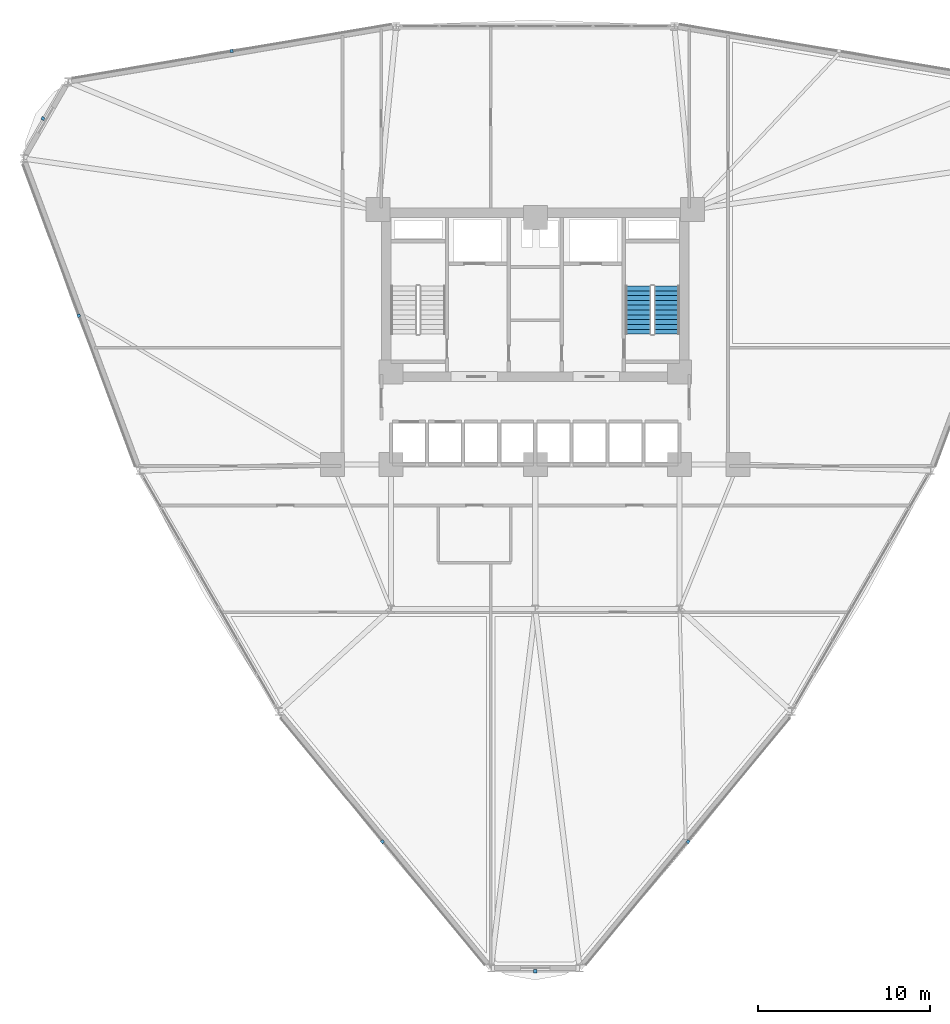
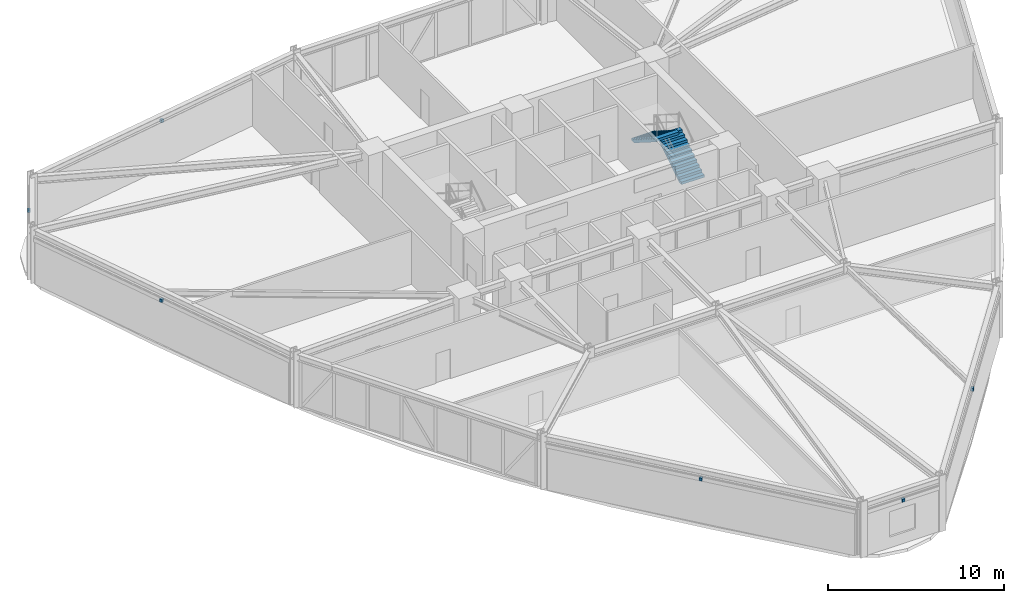
# One storey, part 17 of 21: 6 discrete accessories, 2 stair flights, 1 element without a shape of its own.
"""IFC4 building model written with IfcOpenShell, lengths in metres."""

from ifc_helpers import new_model, si_unit, derived_unit, direction, frame, origin, origin_2d, place, context, subcontext, project, spatial, polyline, rectangle, outline, extrude, source, transform, mapped, material, type_object, element, aggregate, save


model = new_model("IFC4")

# Units and contexts
model_context = context("Model", 3, precision=1e-05, world=origin(), true_north=direction((0.0, 1.0)))
body_context = subcontext(model_context, "Body", "Model", "MODEL_VIEW")
ifc_project = project(units=[si_unit("LENGTHUNIT", "METRE"), si_unit("AREAUNIT", "SQUARE_METRE"), si_unit("VOLUMEUNIT", "CUBIC_METRE"), si_unit("PLANEANGLEUNIT", "RADIAN"), si_unit("MASSUNIT", "GRAM", prefix="KILO"), derived_unit("THERMALTRANSMITTANCEUNIT", [(si_unit("POWERUNIT", "WATT"), 1), (si_unit("LENGTHUNIT", "METRE"), -2), (si_unit("THERMODYNAMICTEMPERATUREUNIT", "KELVIN"), -1)])], contexts=[model_context])

# Site, building, storey
site_placement = place(None, origin())
site = spatial("IfcSite", under=ifc_project, at=site_placement, CompositionType="ELEMENT")
building_placement = place(site_placement, origin())
building = spatial("IfcBuilding", under=site, at=building_placement, Name="Korsvarv Bourse and Concert Hall", CompositionType="ELEMENT")
storey_placement = place(building_placement, frame((0.0, 0.0, 27.89990234375)))
storey = spatial("IfcBuildingStorey", under=building, at=storey_placement, Name="L06", CompositionType="ELEMENT", Elevation=27.89990234375)

# Stair, stair flights
ifc_material_1 = material(Name="Precast concrete C45/55", Category="concrete")
stair_type = type_object("IfcStairType", Name="STR-TYPE-03", PredefinedType="HALF_TURN_STAIR", material=ifc_material_1)
stair_placement = place(storey_placement, origin())
stair = element("IfcStair", 1, at=stair_placement, inside=storey, type_object=stair_type, Name="L06 Tower East Exit Stair ST-T2", PredefinedType="HALF_TURN_STAIR")
stair_flight_type = type_object("IfcStairFlightType", Name="FLT-TYPE-03", PredefinedType="STRAIGHT", material=ifc_material_1)
stair_flight_1_placement = place(storey_placement, frame((43.64990234375, 40.0, 0.0), z_axis=(0.0, 0.0, 1.0), x_axis=(0.0, 1.0, 0.0)))
stair_flight_1 = element("IfcStairFlight", 2, at=stair_flight_1_placement, type_object=stair_flight_type, Name="ST-T2 flight 1", NumberOfRisers=11, NumberOfTreads=10, PredefinedType="STRAIGHT", RiserHeight=0.177272727, TreadLength=0.28, context=body_context, shape_type="SweptSolid", body=[
    extrude(outline(polyline([(0.0, 0.0), (0.0, 0.17724609375), (0.280029296875, 0.17724609375), (0.280029296875, 0.3544921875), (0.56005859375, 0.3544921875), (0.56005859375, 0.53173828125), (0.840087890625, 0.53173828125), (0.840087890625, 0.708984375), (1.1201171875, 0.708984375), (1.1201171875, 0.886474609375), (1.39990234375, 0.886474609375), (1.39990234375, 1.063720703125), (1.679931640625, 1.063720703125), (1.679931640625, 1.240966796875), (1.9599609375, 1.240966796875), (1.9599609375, 1.418212890625), (2.239990234375, 1.418212890625), (2.239990234375, 1.595458984375), (2.52001953125, 1.595458984375), (2.52001953125, 1.772705078125), (2.800048828125, 1.772705078125), (2.800048828125, 1.949951171875), (2.800048828125, 1.59521484375), (0.2802734375, 0.0), (0.0, 0.0)])), frame((0.0, 0.75, 0.0), z_axis=(0.0, -1.0, 0.0), x_axis=(1.0, 0.0, 0.0)), (0.0, 0.0, 1.0), 1.5),
])
stair_flight_2_placement = place(storey_placement, frame((41.989990234375, 42.800048828125, 1.9501953125), z_axis=(0.0, 0.0, 1.0), x_axis=(0.0, -1.0, 0.0)))
stair_flight_2 = element("IfcStairFlight", 3, at=stair_flight_2_placement, type_object=stair_flight_type, Name="ST-T2 flight 2", NumberOfRisers=11, NumberOfTreads=10, PredefinedType="STRAIGHT", RiserHeight=0.177272727, TreadLength=0.28, context=body_context, shape_type="SweptSolid", body=[
    extrude(outline(polyline([(0.0, 0.0), (0.0, 0.17724609375), (0.280029296875, 0.17724609375), (0.280029296875, 0.3544921875), (0.56005859375, 0.3544921875), (0.56005859375, 0.53173828125), (0.840087890625, 0.53173828125), (0.840087890625, 0.708984375), (1.1201171875, 0.708984375), (1.1201171875, 0.886474609375), (1.39990234375, 0.886474609375), (1.39990234375, 1.063720703125), (1.679931640625, 1.063720703125), (1.679931640625, 1.240966796875), (1.9599609375, 1.240966796875), (1.9599609375, 1.418212890625), (2.239990234375, 1.418212890625), (2.239990234375, 1.595458984375), (2.52001953125, 1.595458984375), (2.52001953125, 1.772705078125), (2.800048828125, 1.772705078125), (2.800048828125, 1.949951171875), (2.800048828125, 1.59521484375), (0.2802734375, 0.0), (0.0, 0.0)])), frame((0.0, 0.75, 0.0), z_axis=(0.0, -1.0, 0.0), x_axis=(1.0, 0.0, 0.0)), (0.0, 0.0, 1.0), 1.5),
])
aggregate(stair, [stair_flight_1, stair_flight_2])

# Discrete accessories
ifc_material_2 = material(Name="Stainless Steel S355 facade outrigger bracket", Category="steel")
discrete_accessory_type = type_object("IfcDiscreteAccessoryType", Name="ACC-BRK-1", PredefinedType="BRACKET", material=ifc_material_2)
shared_shape = source(origin(), body_context, "Body", "SweptSolid", [
    extrude(rectangle(XDim=0.179931640625, YDim=0.179931640625, at=origin_2d()), origin(), (0.0, 0.0, 1.0), 0.199951171875),
])
for number, where, z_axis, x_axis, name in (
    (4, (18.31787109375, 56.480712890625, 2.97021484375), (0.0, 0.0, 1.0), (-0.98602512869, -0.166596655404, 0.0), "L06 terracotta sunshade bracket EW-L06-B04"),
    (5, (7.337890625, 52.548095703125, 2.97021484375), (0.0, 0.0, 1.0), (-0.5, -0.866025403784, 0.0), "L06 terracotta sunshade bracket EW-L06-B05"),
    (6, (9.42236328125, 41.072998046875, 2.97021484375), (0.0, 0.0, 1.0), (0.348735628579, -0.937221137918, 0.0), "L06 terracotta sunshade bracket EW-L06-B06"),
    (7, (27.104248046875, 10.446533203125, 2.97021484375), (0.0, 0.0, 1.0), (0.637289500111, -0.770624482513, 0.0), "L06 terracotta sunshade bracket EW-L06-B08"),
    (8, (36.0, 2.90380859375, 2.97021484375), (0.0, 0.0, 1.0), (1.0, 0.0, 0.0), "L06 terracotta sunshade bracket EW-L06-B09"),
    (9, (44.895751953125, 10.446533203125, 2.97021484375), (0.0, 0.0, 1.0), (0.637289500111, 0.770624482513, 0.0), "L06 terracotta sunshade bracket EW-L06-B10"),
):
    element("IfcDiscreteAccessory", number, at=place(storey_placement, frame(where, z_axis=z_axis, x_axis=x_axis)), inside=storey, type_object=discrete_accessory_type, Name=name, PredefinedType="BRACKET", context=body_context, shape_type="MappedRepresentation", body=[
        mapped(shared_shape, transform((0.0, 0.0, 0.0), scale=1.0)),
    ])

save(model, "model.ifc")
